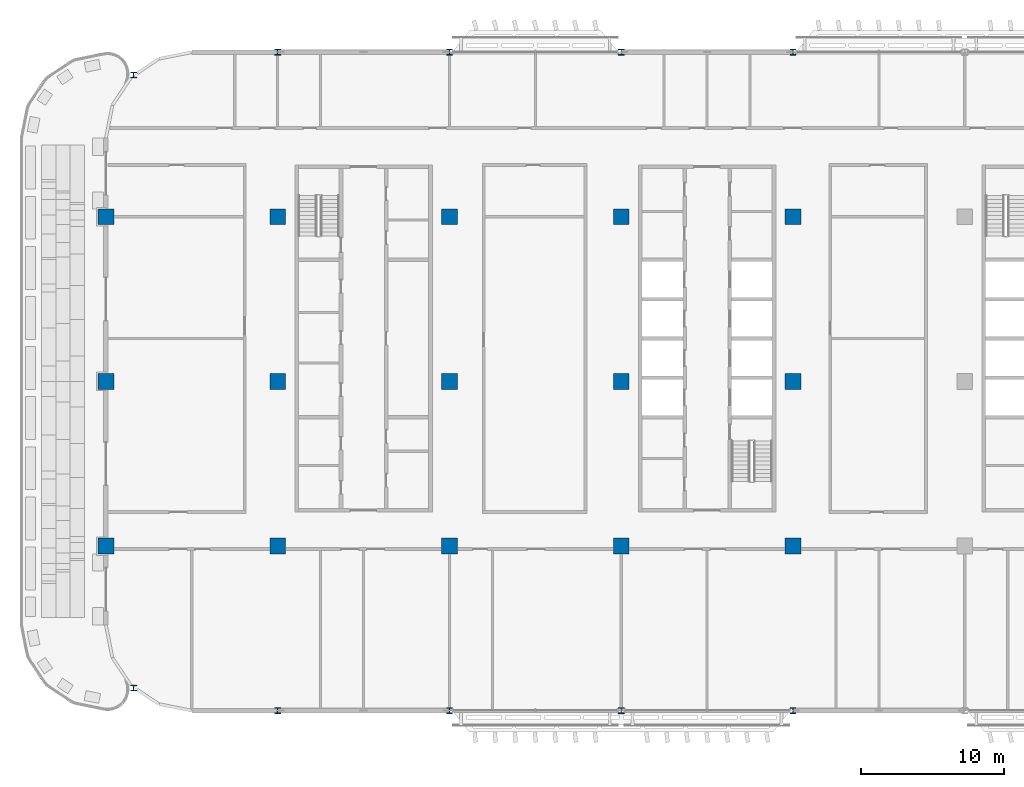
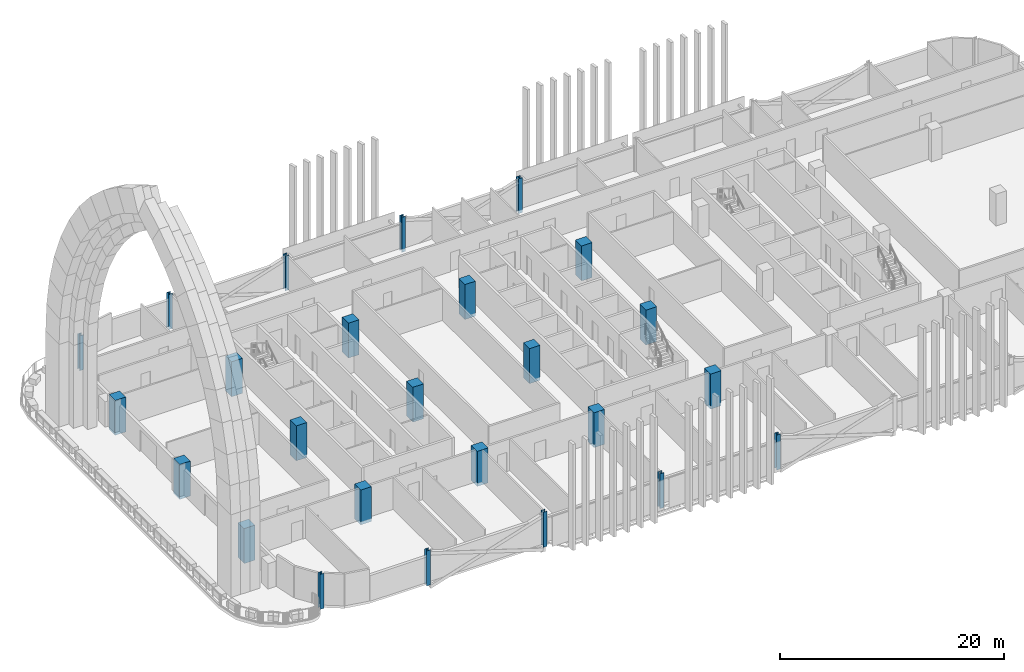
# One storey, part 1 of 28: 25 columns.
"""IFC4 building model written with IfcOpenShell, lengths in metres."""

from ifc_helpers import new_model, si_unit, direction, frame, origin, origin_2d, place, context, subcontext, project, spatial, rectangle, i_section, extrude, material, material_profile, profile_set, type_object, element, save


model = new_model("IFC4")

# Units and contexts
model_context = context("Model", 3, precision=1e-05, world=origin(), true_north=direction((0.0, 1.0)))
body_context = subcontext(model_context, "Body", "Model", "MODEL_VIEW")
ifc_project = project(units=[si_unit("LENGTHUNIT", "METRE"), si_unit("AREAUNIT", "SQUARE_METRE"), si_unit("VOLUMEUNIT", "CUBIC_METRE"), si_unit("PLANEANGLEUNIT", "RADIAN"), si_unit("MASSUNIT", "GRAM", prefix="KILO")], contexts=[model_context])

# Site, building, storey
site_placement = place(None, origin())
site = spatial("IfcSite", under=ifc_project, at=site_placement, CompositionType="ELEMENT")
building_placement = place(site_placement, origin())
building = spatial("IfcBuilding", under=site, at=building_placement, Name="Mahtab Terrace Research Tower", CompositionType="ELEMENT")
storey_placement = place(building_placement, frame((0.0, 0.0, 193.89990234375)))
storey = spatial("IfcBuildingStorey", under=building, at=storey_placement, Name="L46", CompositionType="ELEMENT", Elevation=193.89990234375)

# Columns
ifc_material_1 = material(Name="Concrete C70/85", Category="concrete")
ifc_material_profile_1 = material_profile(ifc_material_1, rectangle(XDim=1.10009765625, YDim=1.10009765625, at=origin_2d()), Name="RC column 1100x1100")
ifc_profile_set_1 = profile_set([ifc_material_profile_1], Name="Concrete C70/85")
column_type_1 = type_object("IfcColumnType", Name="RC column 1100x1100", PredefinedType="COLUMN", material=ifc_profile_set_1)
for number, where, z_axis, x_axis, name in (
    (1, (-42.0, -11.5, -0.33984375), (0.0, 0.0, 1.0), (1.0, 0.0, 0.0), "Column RC-1A L46"),
    (2, (-42.0, 0.0, -0.33984375), (0.0, 0.0, 1.0), (1.0, 0.0, 0.0), "Column RC-1B L46"),
    (3, (-42.0, 11.5, -0.33984375), (0.0, 0.0, 1.0), (1.0, 0.0, 0.0), "Column RC-1C L46"),
    (4, (-30.0, -11.5, -0.33984375), (0.0, 0.0, 1.0), (1.0, 0.0, 0.0), "Column RC-2A L46"),
    (5, (-30.0, 0.0, -0.33984375), (0.0, 0.0, 1.0), (1.0, 0.0, 0.0), "Column RC-2B L46"),
    (6, (-30.0, 11.5, -0.33984375), (0.0, 0.0, 1.0), (1.0, 0.0, 0.0), "Column RC-2C L46"),
    (7, (-18.0, -11.5, -0.33984375), (0.0, 0.0, 1.0), (1.0, 0.0, 0.0), "Column RC-3A L46"),
    (8, (-18.0, 0.0, -0.33984375), (0.0, 0.0, 1.0), (1.0, 0.0, 0.0), "Column RC-3B L46"),
    (9, (-18.0, 11.5, -0.33984375), (0.0, 0.0, 1.0), (1.0, 0.0, 0.0), "Column RC-3C L46"),
    (10, (-6.0, -11.5, -0.33984375), (0.0, 0.0, 1.0), (1.0, 0.0, 0.0), "Column RC-4A L46"),
    (11, (-6.0, 0.0, -0.33984375), (0.0, 0.0, 1.0), (1.0, 0.0, 0.0), "Column RC-4B L46"),
    (12, (-6.0, 11.5, -0.33984375), (0.0, 0.0, 1.0), (1.0, 0.0, 0.0), "Column RC-4C L46"),
    (13, (6.0, -11.5, -0.33984375), (0.0, 0.0, 1.0), (1.0, 0.0, 0.0), "Column RC-5A L46"),
    (14, (6.0, 0.0, -0.33984375), (0.0, 0.0, 1.0), (1.0, 0.0, 0.0), "Column RC-5B L46"),
    (15, (6.0, 11.5, -0.33984375), (0.0, 0.0, 1.0), (1.0, 0.0, 0.0), "Column RC-5C L46"),
):
    element("IfcColumn", number, at=place(storey_placement, frame(where, z_axis=z_axis, x_axis=x_axis)), inside=storey, type_object=column_type_1, Name=name, PredefinedType="COLUMN", context=body_context, shape_type="SweptSolid", body=[
        extrude(rectangle(XDim=1.10009765625, YDim=1.10009765625, at=origin_2d()), origin(), (0.0, 0.0, 1.0), 3.800048828125),
    ])
ifc_material_2 = material(Name="Steel ASTM A992 Gr 50", Category="steel")
ifc_material_profile_2 = material_profile(ifc_material_2, i_section(OverallWidth=0.4013671875, OverallDepth=0.398681640625, WebThickness=0.02490234375, FlangeThickness=0.03955078125, at=origin_2d()), Name="W14X211")
ifc_profile_set_2 = profile_set([ifc_material_profile_2], Name="Steel ASTM A992 Gr 50")
column_type_2 = type_object("IfcColumnType", Name="W14x211 column CS14211", PredefinedType="COLUMN", material=ifc_profile_set_2)
for number, where, z_axis, x_axis, name in (
    (16, (6.0, 23.0, -0.33984375), (0.0, 0.0, 1.0), (1.0, 0.0, 0.0), "Column SC-004 L46"),
    (17, (-6.0, 23.0, -0.33984375), (0.0, 0.0, 1.0), (1.0, 0.0, 0.0), "Column SC-005 L46"),
    (18, (-18.0, 23.0, -0.33984375), (0.0, 0.0, 1.0), (1.0, 0.0, 0.0), "Column SC-006 L46"),
    (19, (-30.0, 23.0, -0.33984375), (0.0, 0.0, 1.0), (1.0, 0.0, 0.0), "Column SC-007 L46"),
    (20, (-40.06201171875, 21.416015625, -0.33984375), (0.0, 0.0, 1.0), (1.0, 0.0, 0.0), "Column SC-024 L46"),
    (21, (-40.06201171875, -21.416015625, -0.33984375), (0.0, 0.0, 1.0), (1.0, 0.0, 0.0), "Column SC-025 L46"),
    (22, (-30.0, -23.0, -0.33984375), (0.0, 0.0, 1.0), (1.0, 0.0, 0.0), "Column SC-013 L46"),
    (23, (-18.0, -23.0, -0.33984375), (0.0, 0.0, 1.0), (1.0, 0.0, 0.0), "Column SC-014 L46"),
    (24, (-6.0, -23.0, -0.33984375), (0.0, 0.0, 1.0), (1.0, 0.0, 0.0), "Column SC-015 L46"),
    (25, (6.0, -23.0, -0.33984375), (0.0, 0.0, 1.0), (1.0, 0.0, 0.0), "Column SC-016 L46"),
):
    element("IfcColumn", number, at=place(storey_placement, frame(where, z_axis=z_axis, x_axis=x_axis)), inside=storey, type_object=column_type_2, Name=name, PredefinedType="COLUMN", context=body_context, shape_type="SweptSolid", body=[
        extrude(i_section(OverallWidth=0.4013671875, OverallDepth=0.398681640625, WebThickness=0.02490234375, FlangeThickness=0.03955078125, at=origin_2d()), origin(), (0.0, 0.0, 1.0), 3.800048828125),
    ])

save(model, "model.ifc")
